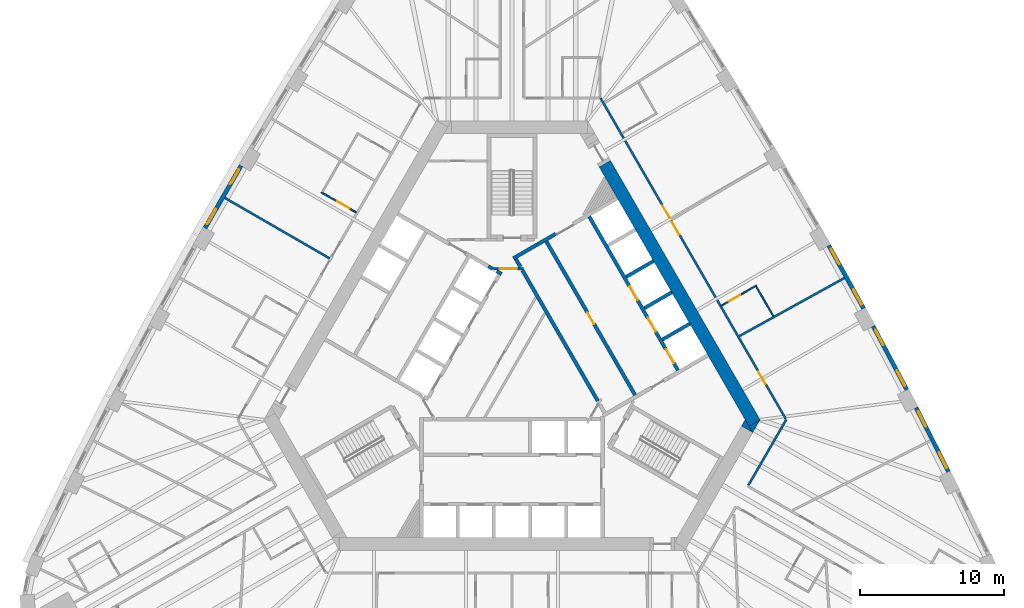
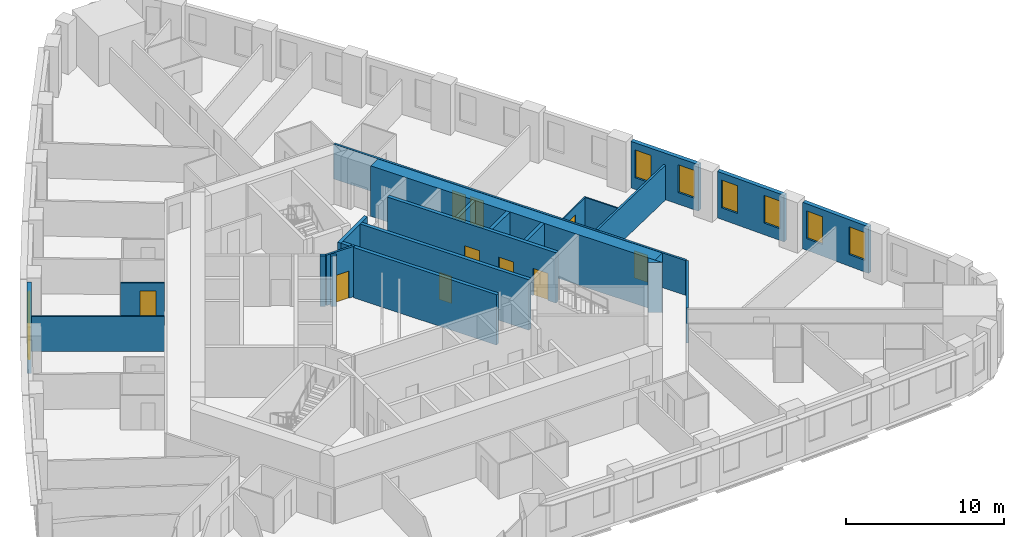
# One storey, part 8 of 12: 25 walls, 10 doors, 8 windows, 18 openings.
"""IFC4 building model written with IfcOpenShell, lengths in metres."""

from ifc_helpers import new_model, si_unit, direction, frame, frame_2d, origin, place, context, subcontext, project, spatial, polyline, rectangle, outline, extrude, material, layer, layer_set, type_object, element, fill, save


model = new_model("IFC4")

# Units and contexts
model_context = context("Model", 3, precision=1e-05, world=origin(), true_north=direction((0.0, 1.0)))
body_context = subcontext(model_context, "Body", "Model", "MODEL_VIEW")
ifc_project = project(units=[si_unit("LENGTHUNIT", "METRE"), si_unit("AREAUNIT", "SQUARE_METRE"), si_unit("VOLUMEUNIT", "CUBIC_METRE"), si_unit("PLANEANGLEUNIT", "RADIAN"), si_unit("MASSUNIT", "GRAM", prefix="KILO")], contexts=[model_context])

# Site, building, storey
site_placement = place(None, origin())
site = spatial("IfcSite", under=ifc_project, at=site_placement, CompositionType="ELEMENT")
building_placement = place(site_placement, origin())
building = spatial("IfcBuilding", under=site, at=building_placement, Name="Mestral Congress Tower", CompositionType="ELEMENT")
storey_placement = place(building_placement, frame((0.0, 0.0, 74.39990234375)))
storey = spatial("IfcBuildingStorey", under=building, at=storey_placement, Name="L17", CompositionType="ELEMENT", Elevation=74.39990234375)

# Walls
ifc_material_1 = material(Name="Concrete C60/75", Category="concrete")
ifc_layer_1 = layer(ifc_material_1, 0.89990234375)
ifc_layer_set_1 = layer_set([ifc_layer_1], Name="Concrete C60/75")
wall_type_1 = type_object("IfcWallType", Name="Core wall RC 900", PredefinedType="SOLIDWALL", material=ifc_layer_set_1)
wall_1_placement = place(storey_placement, frame((6.4609375, 13.9091796875, 0.0), z_axis=(0.0, 0.0, 1.0), x_axis=(0.500005804227, -0.866022052686, 0.0)))
element("IfcWall", 1, at=wall_1_placement, inside=storey, type_object=wall_type_1, Name="L17 core wall", PredefinedType="SOLIDWALL", context=body_context, shape_type="SweptSolid", body=[
    extrude(rectangle(XDim=20.833740234375, YDim=0.89990234375, at=frame_2d((10.4169921875, 0.0))), origin(), (0.0, 0.0, 1.0), 3.900146484375),
])
placement = place(storey_placement, origin())
element("IfcWall", 2, at=placement, inside=storey, type_object=wall_type_1, Name="L17 core wall", PredefinedType="SOLIDWALL", context=body_context, shape_type="SweptSolid", body=[
    extrude(outline(polyline([(16.7431640625, -4.800048828125), (16.4892578125, -4.360107421875), (17.251220703125, -3.920166015625), (16.7431640625, -4.800048828125)])), origin(), (0.0, 0.0, 1.0), 3.900146484375),
])
element("IfcWall", 3, at=placement, inside=storey, type_object=wall_type_1, Name="L17 core wall", PredefinedType="SOLIDWALL", context=body_context, shape_type="SweptSolid", body=[
    extrude(outline(polyline([(16.223388671875, -3.900146484375), (16.731689453125, -4.780029296875), (15.969482421875, -4.340087890625), (16.223388671875, -3.900146484375)])), origin(), (0.0, 0.0, 1.0), 3.900146484375),
])

# Wall, openings, windows
ifc_material_2 = material(Name="Precast concrete C40/50 with limestone facing", Category="masonry")
ifc_layer_2 = layer(ifc_material_2, 0.2900390625)
ifc_layer_set_2 = layer_set([ifc_layer_2], Name="Precast concrete C40/50 with limestone facing")
wall_type_2 = type_object("IfcWallType", Name="Facade stone wall 290", PredefinedType="SOLIDWALL", material=ifc_layer_set_2)
wall_4_placement = place(storey_placement, frame((30.376953125, -7.5205078125, 0.0), z_axis=(0.0, 0.0, 1.0), x_axis=(-0.451233929645, 0.892405704115, 0.0)))
wall_4 = element("IfcWall", 4, at=wall_4_placement, inside=storey, type_object=wall_type_2, Name="Facade wall F1-01", PredefinedType="SOLIDWALL", context=body_context, shape_type="SweptSolid", body=[
    extrude(rectangle(XDim=4.998291015625, YDim=0.2900390625, at=frame_2d((2.4990234375, 0.0))), origin(), (0.0, 0.0, 1.0), 3.60009765625),
])
opening_1_placement = place(wall_4_placement, frame((0.297119140625, 0.0, 0.89990234375)))
opening_1 = element("IfcOpeningElement", 5, at=opening_1_placement, cuts=wall_4, Name="Opening W1", PredefinedType="OPENING", context=body_context, shape_type="SweptSolid", body=[
    extrude(rectangle(XDim=1.199951171875, YDim=2.14990234375, at=frame_2d((0.60009765625, 1.074951171875))), frame((0.0, 0.155029296875, 0.0), z_axis=(0.0, -1.0, 0.0), x_axis=(1.0, 0.0, 0.0)), (0.0, 0.0, 1.0), 0.31005859375),
])
opening_2_placement = place(wall_4_placement, frame((3.501220703125, 0.0, 0.89990234375)))
opening_2 = element("IfcOpeningElement", 6, at=opening_2_placement, cuts=wall_4, Name="Opening W1", PredefinedType="OPENING", context=body_context, shape_type="SweptSolid", body=[
    extrude(rectangle(XDim=1.199951171875, YDim=2.14990234375, at=frame_2d((0.60009765625, 1.074951171875))), frame((0.0, 0.155029296875, 0.0), z_axis=(0.0, -1.0, 0.0), x_axis=(1.0, 0.0, 0.0)), (0.0, 0.0, 1.0), 0.31005859375),
])
ifc_material_3 = material(Name="Clear low-emissivity double glazing", Category="glass")
window_type = type_object("IfcWindowType", Name="Facade punched window 1200 x 2150 sill 900", PartitioningType="DOUBLE_PANEL_VERTICAL", PredefinedType="WINDOW", material=ifc_material_3)
window_1_placement = place(opening_1_placement, origin())
window_1 = element("IfcWindow", 7, at=window_1_placement, inside=storey, type_object=window_type, Name="Window F1-01a", OverallHeight=2.14990234375, OverallWidth=1.199951171875, PartitioningType="DOUBLE_PANEL_VERTICAL", PredefinedType="WINDOW", context=body_context, shape_type="SweptSolid", body=[
    extrude(rectangle(XDim=1.199951171875, YDim=2.14990234375, at=frame_2d((0.60009765625, 1.074951171875))), frame((0.0, 0.01513671875, 0.0), z_axis=(0.0, -1.0, 0.0), x_axis=(1.0, 0.0, 0.0)), (0.0, 0.0, 1.0), 0.06005859375),
])
fill(opening_1, window_1)
window_2_placement = place(opening_2_placement, origin())
window_2 = element("IfcWindow", 8, at=window_2_placement, inside=storey, type_object=window_type, Name="Window F1-01b", OverallHeight=2.14990234375, OverallWidth=1.199951171875, PartitioningType="DOUBLE_PANEL_VERTICAL", PredefinedType="WINDOW", context=body_context, shape_type="SweptSolid", body=[
    extrude(rectangle(XDim=1.199951171875, YDim=2.14990234375, at=frame_2d((0.60009765625, 1.074951171875))), frame((0.0, 0.01513671875, 0.0), z_axis=(0.0, -1.0, 0.0), x_axis=(1.0, 0.0, 0.0)), (0.0, 0.0, 1.0), 0.06005859375),
])
fill(opening_2, window_2)

wall_5_placement = place(storey_placement, frame((27.47509765625, -1.810302734375, 0.0), z_axis=(0.0, 0.0, 1.0), x_axis=(-0.467629620899, 0.883924509026, 0.0)))
wall_5 = element("IfcWall", 9, at=wall_5_placement, inside=storey, type_object=wall_type_2, Name="Facade wall F1-02", PredefinedType="SOLIDWALL", context=body_context, shape_type="SweptSolid", body=[
    extrude(rectangle(XDim=4.998291015625, YDim=0.2900390625, at=frame_2d((2.4990234375, 0.0))), origin(), (0.0, 0.0, 1.0), 3.60009765625),
])
opening_3_placement = place(wall_5_placement, frame((0.297119140625, 0.0, 0.89990234375)))
opening_3 = element("IfcOpeningElement", 10, at=opening_3_placement, cuts=wall_5, Name="Opening W1", PredefinedType="OPENING", context=body_context, shape_type="SweptSolid", body=[
    extrude(rectangle(XDim=1.199951171875, YDim=2.14990234375, at=frame_2d((0.60009765625, 1.074951171875))), frame((0.0, 0.155029296875, 0.0), z_axis=(0.0, -1.0, 0.0), x_axis=(1.0, 0.0, 0.0)), (0.0, 0.0, 1.0), 0.31005859375),
])
opening_4_placement = place(wall_5_placement, frame((3.501220703125, 0.0, 0.89990234375)))
opening_4 = element("IfcOpeningElement", 11, at=opening_4_placement, cuts=wall_5, Name="Opening W1", PredefinedType="OPENING", context=body_context, shape_type="SweptSolid", body=[
    extrude(rectangle(XDim=1.199951171875, YDim=2.14990234375, at=frame_2d((0.60009765625, 1.074951171875))), frame((0.0, 0.155029296875, 0.0), z_axis=(0.0, -1.0, 0.0), x_axis=(1.0, 0.0, 0.0)), (0.0, 0.0, 1.0), 0.31005859375),
])
window_3_placement = place(opening_3_placement, origin())
window_3 = element("IfcWindow", 12, at=window_3_placement, inside=storey, type_object=window_type, Name="Window F1-02a", OverallHeight=2.14990234375, OverallWidth=1.199951171875, PartitioningType="DOUBLE_PANEL_VERTICAL", PredefinedType="WINDOW", context=body_context, shape_type="SweptSolid", body=[
    extrude(rectangle(XDim=1.199951171875, YDim=2.14990234375, at=frame_2d((0.60009765625, 1.074951171875))), frame((0.0, 0.01513671875, 0.0), z_axis=(0.0, -1.0, 0.0), x_axis=(1.0, 0.0, 0.0)), (0.0, 0.0, 1.0), 0.06005859375),
])
fill(opening_3, window_3)
window_4_placement = place(opening_4_placement, origin())
window_4 = element("IfcWindow", 13, at=window_4_placement, inside=storey, type_object=window_type, Name="Window F1-02b", OverallHeight=2.14990234375, OverallWidth=1.199951171875, PartitioningType="DOUBLE_PANEL_VERTICAL", PredefinedType="WINDOW", context=body_context, shape_type="SweptSolid", body=[
    extrude(rectangle(XDim=1.199951171875, YDim=2.14990234375, at=frame_2d((0.60009765625, 1.074951171875))), frame((0.0, 0.01513671875, 0.0), z_axis=(0.0, -1.0, 0.0), x_axis=(1.0, 0.0, 0.0)), (0.0, 0.0, 1.0), 0.06005859375),
])
fill(opening_4, window_4)

wall_6_placement = place(storey_placement, frame((24.46826171875, 3.845703125, 0.0), z_axis=(0.0, 0.0, 1.0), x_axis=(-0.483912572871, 0.875116347589, 0.0)))
wall_6 = element("IfcWall", 14, at=wall_6_placement, inside=storey, type_object=wall_type_2, Name="Facade wall F1-03", PredefinedType="SOLIDWALL", context=body_context, shape_type="SweptSolid", body=[
    extrude(rectangle(XDim=4.998291015625, YDim=0.2900390625, at=frame_2d((2.4990234375, 0.0))), origin(), (0.0, 0.0, 1.0), 3.60009765625),
])
opening_5_placement = place(wall_6_placement, frame((0.297119140625, 0.0, 0.89990234375)))
opening_5 = element("IfcOpeningElement", 15, at=opening_5_placement, cuts=wall_6, Name="Opening W1", PredefinedType="OPENING", context=body_context, shape_type="SweptSolid", body=[
    extrude(rectangle(XDim=1.199951171875, YDim=2.14990234375, at=frame_2d((0.60009765625, 1.074951171875))), frame((0.0, 0.155029296875, 0.0), z_axis=(0.0, -1.0, 0.0), x_axis=(1.0, 0.0, 0.0)), (0.0, 0.0, 1.0), 0.31005859375),
])
opening_6_placement = place(wall_6_placement, frame((3.501220703125, 0.0, 0.89990234375)))
opening_6 = element("IfcOpeningElement", 16, at=opening_6_placement, cuts=wall_6, Name="Opening W1", PredefinedType="OPENING", context=body_context, shape_type="SweptSolid", body=[
    extrude(rectangle(XDim=1.199951171875, YDim=2.14990234375, at=frame_2d((0.60009765625, 1.074951171875))), frame((0.0, 0.155029296875, 0.0), z_axis=(0.0, -1.0, 0.0), x_axis=(1.0, 0.0, 0.0)), (0.0, 0.0, 1.0), 0.31005859375),
])
window_5_placement = place(opening_5_placement, origin())
window_5 = element("IfcWindow", 17, at=window_5_placement, inside=storey, type_object=window_type, Name="Window F1-03a", OverallHeight=2.14990234375, OverallWidth=1.199951171875, PartitioningType="DOUBLE_PANEL_VERTICAL", PredefinedType="WINDOW", context=body_context, shape_type="SweptSolid", body=[
    extrude(rectangle(XDim=1.199951171875, YDim=2.14990234375, at=frame_2d((0.60009765625, 1.074951171875))), frame((0.0, 0.01513671875, 0.0), z_axis=(0.0, -1.0, 0.0), x_axis=(1.0, 0.0, 0.0)), (0.0, 0.0, 1.0), 0.06005859375),
])
fill(opening_5, window_5)
window_6_placement = place(opening_6_placement, origin())
window_6 = element("IfcWindow", 18, at=window_6_placement, inside=storey, type_object=window_type, Name="Window F1-03b", OverallHeight=2.14990234375, OverallWidth=1.199951171875, PartitioningType="DOUBLE_PANEL_VERTICAL", PredefinedType="WINDOW", context=body_context, shape_type="SweptSolid", body=[
    extrude(rectangle(XDim=1.199951171875, YDim=2.14990234375, at=frame_2d((0.60009765625, 1.074951171875))), frame((0.0, 0.01513671875, 0.0), z_axis=(0.0, -1.0, 0.0), x_axis=(1.0, 0.0, 0.0)), (0.0, 0.0, 1.0), 0.06005859375),
])
fill(opening_6, window_6)

wall_7_placement = place(storey_placement, frame((-18.85791015625, 13.7734375, 0.0), z_axis=(0.0, 0.0, 1.0), x_axis=(-0.50002123722, -0.866013142123, 0.0)))
wall_7 = element("IfcWall", 19, at=wall_7_placement, inside=storey, type_object=wall_type_2, Name="Facade wall F2-04", PredefinedType="SOLIDWALL", context=body_context, shape_type="SweptSolid", body=[
    extrude(rectangle(XDim=4.998291015625, YDim=0.2900390625, at=frame_2d((2.4990234375, 0.0))), origin(), (0.0, 0.0, 1.0), 3.60009765625),
])
opening_7_placement = place(wall_7_placement, frame((0.297119140625, 0.0, 0.89990234375)))
opening_7 = element("IfcOpeningElement", 20, at=opening_7_placement, cuts=wall_7, Name="Opening W1", PredefinedType="OPENING", context=body_context, shape_type="SweptSolid", body=[
    extrude(rectangle(XDim=1.199951171875, YDim=2.14990234375, at=frame_2d((0.60009765625, 1.074951171875))), frame((0.0, 0.155029296875, 0.0), z_axis=(0.0, -1.0, 0.0), x_axis=(1.0, 0.0, 0.0)), (0.0, 0.0, 1.0), 0.31005859375),
])
opening_8_placement = place(wall_7_placement, frame((3.501220703125, 0.0, 0.89990234375)))
opening_8 = element("IfcOpeningElement", 21, at=opening_8_placement, cuts=wall_7, Name="Opening W1", PredefinedType="OPENING", context=body_context, shape_type="SweptSolid", body=[
    extrude(rectangle(XDim=1.199951171875, YDim=2.14990234375, at=frame_2d((0.60009765625, 1.074951171875))), frame((0.0, 0.155029296875, 0.0), z_axis=(0.0, -1.0, 0.0), x_axis=(1.0, 0.0, 0.0)), (0.0, 0.0, 1.0), 0.31005859375),
])
window_7_placement = place(opening_7_placement, origin())
window_7 = element("IfcWindow", 22, at=window_7_placement, inside=storey, type_object=window_type, Name="Window F2-04a", OverallHeight=2.14990234375, OverallWidth=1.199951171875, PartitioningType="DOUBLE_PANEL_VERTICAL", PredefinedType="WINDOW", context=body_context, shape_type="SweptSolid", body=[
    extrude(rectangle(XDim=1.199951171875, YDim=2.14990234375, at=frame_2d((0.60009765625, 1.074951171875))), frame((0.0, 0.01513671875, 0.0), z_axis=(0.0, -1.0, 0.0), x_axis=(1.0, 0.0, 0.0)), (0.0, 0.0, 1.0), 0.06005859375),
])
fill(opening_7, window_7)
window_8_placement = place(opening_8_placement, origin())
window_8 = element("IfcWindow", 23, at=window_8_placement, inside=storey, type_object=window_type, Name="Window F2-04b", OverallHeight=2.14990234375, OverallWidth=1.199951171875, PartitioningType="DOUBLE_PANEL_VERTICAL", PredefinedType="WINDOW", context=body_context, shape_type="SweptSolid", body=[
    extrude(rectangle(XDim=1.199951171875, YDim=2.14990234375, at=frame_2d((0.60009765625, 1.074951171875))), frame((0.0, 0.01513671875, 0.0), z_axis=(0.0, -1.0, 0.0), x_axis=(1.0, 0.0, 0.0)), (0.0, 0.0, 1.0), 0.06005859375),
])
fill(opening_8, window_8)

# Wall, opening, door
ifc_material_4 = material(Name="Gypsum board partition on metal studs with mineral wool", Category="composite")
ifc_layer_3 = layer(ifc_material_4, 0.10009765625)
ifc_layer_set_3 = layer_set([ifc_layer_3], Name="Gypsum board partition on metal studs with mineral wool")
wall_type_3 = type_object("IfcWallType", Name="Hotel partition wall 100", PredefinedType="PARTITIONING", material=ifc_layer_set_3)
wall_8_placement = place(storey_placement, frame((17.00927734375, 5.439208984375, 0.0), z_axis=(0.0, 0.0, 1.0), x_axis=(-0.865996816683, -0.500049511043, 0.0)))
wall_8 = element("IfcWall", 24, at=wall_8_placement, inside=storey, type_object=wall_type_3, Name="L17-h-pod10a", PredefinedType="PARTITIONING", context=body_context, shape_type="SweptSolid", body=[
    extrude(rectangle(XDim=2.800048828125, YDim=0.10009765625, at=frame_2d((1.39990234375, 0.0))), origin(), (0.0, 0.0, 1.0), 2.7001953125),
])
opening_9_placement = place(wall_8_placement, frame((1.300048828125, 0.0, 0.0)))
opening_9 = element("IfcOpeningElement", 25, at=opening_9_placement, cuts=wall_8, Name="Opening H05-019", PredefinedType="OPENING", context=body_context, shape_type="SweptSolid", body=[
    extrude(rectangle(XDim=0.89990234375, YDim=2.10009765625, at=frame_2d((0.449951171875, 1.050048828125))), frame((0.0, 0.06005859375, 0.0), z_axis=(0.0, -1.0, 0.0), x_axis=(1.0, 0.0, 0.0)), (0.0, 0.0, 1.0), 0.1201171875),
])
ifc_material_5 = material(Name="Timber veneer door leaf in timber frame", Category="wood")
door_type_1 = type_object("IfcDoorType", Name="Bathroom door 900", OperationType="SINGLE_SWING_LEFT", PredefinedType="DOOR", material=ifc_material_5)
door_1_placement = place(opening_9_placement, origin())
door_1 = element("IfcDoor", 26, at=door_1_placement, inside=storey, type_object=door_type_1, Name="L17-h-d019", OperationType="SINGLE_SWING_LEFT", OverallHeight=2.10009765625, OverallWidth=0.89990234375, PredefinedType="DOOR", context=body_context, shape_type="SweptSolid", body=[
    extrude(rectangle(XDim=0.89990234375, YDim=2.10009765625, at=frame_2d((0.449951171875, 1.050048828125))), frame((0.0, 0.02490234375, 0.0), z_axis=(0.0, -1.0, 0.0), x_axis=(1.0, 0.0, 0.0)), (0.0, 0.0, 1.0), 0.050048828125),
])
fill(opening_9, door_1)

# Wall
wall_9_placement = place(storey_placement, frame((16.990966796875, 5.370849609375, 0.0), z_axis=(0.0, 0.0, 1.0), x_axis=(0.499939447199, -0.866060361138, 0.0)))
element("IfcWall", 27, at=wall_9_placement, inside=storey, type_object=wall_type_3, Name="L17-h-pod10b", PredefinedType="PARTITIONING", context=body_context, shape_type="SweptSolid", body=[
    extrude(rectangle(XDim=2.369873046875, YDim=0.10009765625, at=frame_2d((1.18505859375, 0.0))), origin(), (0.0, 0.0, 1.0), 2.7001953125),
])

# Wall, opening, door
wall_10_placement = place(storey_placement, frame((-13.26513671875, 11.924072265625, 0.0), z_axis=(0.0, 0.0, 1.0), x_axis=(0.866034573852, -0.49998411664, 0.0)))
wall_10 = element("IfcWall", 28, at=wall_10_placement, inside=storey, type_object=wall_type_3, Name="L17-h-pod18a", PredefinedType="PARTITIONING", context=body_context, shape_type="SweptSolid", body=[
    extrude(rectangle(XDim=2.7998046875, YDim=0.10009765625, at=frame_2d((1.39990234375, 0.0))), origin(), (0.0, 0.0, 1.0), 2.7001953125),
])
opening_10_placement = place(wall_10_placement, frame((1.25, 0.0, 0.0)))
opening_10 = element("IfcOpeningElement", 29, at=opening_10_placement, cuts=wall_10, Name="Opening H05-033", PredefinedType="OPENING", context=body_context, shape_type="SweptSolid", body=[
    extrude(rectangle(XDim=1.0, YDim=2.10009765625, at=frame_2d((0.5, 1.050048828125))), frame((0.0, 0.06005859375, 0.0), z_axis=(0.0, -1.0, 0.0), x_axis=(1.0, 0.0, 0.0)), (0.0, 0.0, 1.0), 0.1201171875),
])
door_type_2 = type_object("IfcDoorType", Name="Accessible bathroom door 1000", OperationType="SINGLE_SWING_LEFT", PredefinedType="DOOR", material=ifc_material_5)
door_2_placement = place(opening_10_placement, origin())
door_2 = element("IfcDoor", 30, at=door_2_placement, inside=storey, type_object=door_type_2, Name="L17-h-d033", OperationType="SINGLE_SWING_RIGHT", OverallHeight=2.10009765625, OverallWidth=1.0, PredefinedType="DOOR", context=body_context, shape_type="SweptSolid", body=[
    extrude(rectangle(XDim=1.0, YDim=2.10009765625, at=frame_2d((0.5, 1.050048828125))), frame((0.0, 0.02490234375, 0.0), z_axis=(0.0, -1.0, 0.0), x_axis=(1.0, 0.0, 0.0)), (0.0, 0.0, 1.0), 0.050048828125),
])
fill(opening_10, door_2)

# Wall
ifc_layer_4 = layer(ifc_material_4, 0.14990234375)
ifc_layer_set_4 = layer_set([ifc_layer_4], Name="Gypsum board partition on metal studs with mineral wool")
wall_type_4 = type_object("IfcWallType", Name="Hotel partition wall 150", PredefinedType="PARTITIONING", material=ifc_layer_set_4)
wall_11_placement = place(storey_placement, frame((19.081298828125, -3.89990234375, 0.0), z_axis=(0.0, 0.0, 1.0), x_axis=(-0.499974327079, -0.866040225545, 0.0)))
element("IfcWall", 31, at=wall_11_placement, inside=storey, type_object=wall_type_4, Name="L17-h-cw02", PredefinedType="PARTITIONING", context=body_context, shape_type="SweptSolid", body=[
    extrude(rectangle(XDim=5.258056640625, YDim=0.14990234375, at=frame_2d((2.62890625, 0.0))), origin(), (0.0, 0.0, 1.0), 2.7001953125),
])

# Wall, openings, doors
wall_12_placement = place(storey_placement, frame((6.1630859375, 18.47509765625, 0.0), z_axis=(0.0, 0.0, 1.0), x_axis=(0.500001317485, -0.866024643133, 0.0)))
wall_12 = element("IfcWall", 32, at=wall_12_placement, inside=storey, type_object=wall_type_4, Name="L17-h-cw03", PredefinedType="PARTITIONING", context=body_context, shape_type="SweptSolid", body=[
    extrude(rectangle(XDim=25.7666015625, YDim=0.14990234375, at=frame_2d((12.88330078125, 0.0))), origin(), (0.0, 0.0, 1.0), 2.7001953125),
])
opening_11_placement = place(wall_12_placement, frame((21.952880859375, 0.0, 0.0)))
opening_11 = element("IfcOpeningElement", 33, at=opening_11_placement, cuts=wall_12, Name="Opening H05-017", PredefinedType="OPENING", context=body_context, shape_type="SweptSolid", body=[
    extrude(rectangle(XDim=1.0, YDim=2.10009765625, at=frame_2d((0.5, 1.050048828125))), frame((0.0, 0.0849609375, 0.0), z_axis=(0.0, -1.0, 0.0), x_axis=(1.0, 0.0, 0.0)), (0.0, 0.0, 1.0), 0.169921875),
])
opening_12_placement = place(wall_12_placement, frame((9.94775390625, 0.0, 0.0)))
opening_12 = element("IfcOpeningElement", 34, at=opening_12_placement, cuts=wall_12, Name="Opening H05-018", PredefinedType="OPENING", context=body_context, shape_type="SweptSolid", body=[
    extrude(rectangle(XDim=1.0, YDim=2.10009765625, at=frame_2d((0.5, 1.050048828125))), frame((0.0, 0.0849609375, 0.0), z_axis=(0.0, -1.0, 0.0), x_axis=(1.0, 0.0, 0.0)), (0.0, 0.0, 1.0), 0.169921875),
])
opening_13_placement = place(wall_12_placement, frame((8.640625, 0.0, 0.0)))
opening_13 = element("IfcOpeningElement", 35, at=opening_13_placement, cuts=wall_12, Name="Opening H05-020", PredefinedType="OPENING", context=body_context, shape_type="SweptSolid", body=[
    extrude(rectangle(XDim=1.0, YDim=2.10009765625, at=frame_2d((0.5, 1.050048828125))), frame((0.0, 0.0849609375, 0.0), z_axis=(0.0, -1.0, 0.0), x_axis=(1.0, 0.0, 0.0)), (0.0, 0.0, 1.0), 0.169921875),
])
ifc_material_6 = material(Name="Timber veneer door leaf in metal frame", Category="wood")
door_type_3 = type_object("IfcDoorType", Name="Guest room entrance door 1000", OperationType="SINGLE_SWING_LEFT", PredefinedType="DOOR", material=ifc_material_6)
door_3_placement = place(opening_11_placement, origin())
door_3 = element("IfcDoor", 36, at=door_3_placement, inside=storey, type_object=door_type_3, Name="L17-h-d017", OperationType="SINGLE_SWING_LEFT", OverallHeight=2.10009765625, OverallWidth=1.0, PredefinedType="DOOR", context=body_context, shape_type="SweptSolid", body=[
    extrude(rectangle(XDim=1.0, YDim=2.10009765625, at=frame_2d((0.5, 1.050048828125))), frame((0.0, 0.02490234375, 0.0), z_axis=(0.0, -1.0, 0.0), x_axis=(1.0, 0.0, 0.0)), (0.0, 0.0, 1.0), 0.050048828125),
])
fill(opening_11, door_3)
door_4_placement = place(opening_12_placement, origin())
door_4 = element("IfcDoor", 37, at=door_4_placement, inside=storey, type_object=door_type_3, Name="L17-h-d018", OperationType="SINGLE_SWING_LEFT", OverallHeight=2.10009765625, OverallWidth=1.0, PredefinedType="DOOR", context=body_context, shape_type="SweptSolid", body=[
    extrude(rectangle(XDim=1.0, YDim=2.10009765625, at=frame_2d((0.5, 1.050048828125))), frame((0.0, 0.02490234375, 0.0), z_axis=(0.0, -1.0, 0.0), x_axis=(1.0, 0.0, 0.0)), (0.0, 0.0, 1.0), 0.050048828125),
])
fill(opening_12, door_4)
door_5_placement = place(opening_13_placement, origin())
door_5 = element("IfcDoor", 38, at=door_5_placement, inside=storey, type_object=door_type_3, Name="L17-h-d020", OperationType="SINGLE_SWING_RIGHT", OverallHeight=2.10009765625, OverallWidth=1.0, PredefinedType="DOOR", context=body_context, shape_type="SweptSolid", body=[
    extrude(rectangle(XDim=1.0, YDim=2.10009765625, at=frame_2d((0.5, 1.050048828125))), frame((0.0, 0.02490234375, 0.0), z_axis=(0.0, -1.0, 0.0), x_axis=(1.0, 0.0, 0.0)), (0.0, 0.0, 1.0), 0.050048828125),
])
fill(opening_13, door_5)

# Walls
wall_13_placement = place(storey_placement, frame((-19.98193359375, 11.53662109375, 0.0), z_axis=(0.0, 0.0, 1.0), x_axis=(0.866020994654, -0.500007636761, 0.0)))
element("IfcWall", 39, at=wall_13_placement, inside=storey, type_object=wall_type_4, Name="L17-h-pw07", PredefinedType="PARTITIONING", context=body_context, shape_type="SweptSolid", body=[
    extrude(rectangle(XDim=8.423095703125, YDim=0.14990234375, at=frame_2d((4.21142578125, 0.0))), origin(), (0.0, 0.0, 1.0), 2.7001953125),
])
wall_14_placement = place(storey_placement, frame((23.1318359375, 5.96240234375, 0.0), z_axis=(0.0, 0.0, 1.0), x_axis=(-0.875121716713, -0.483902863121, 0.0)))
element("IfcWall", 40, at=wall_14_placement, inside=storey, type_object=wall_type_4, Name="L17-h-pw20", PredefinedType="PARTITIONING", context=body_context, shape_type="SweptSolid", body=[
    extrude(rectangle(XDim=8.35546875, YDim=0.14990234375, at=frame_2d((4.177734375, 0.0))), origin(), (0.0, 0.0, 1.0), 2.7001953125),
])
ifc_layer_5 = layer(ifc_material_1, 0.25)
ifc_layer_set_5 = layer_set([ifc_layer_5], Name="Concrete C60/75")
wall_type_5 = type_object("IfcWallType", Name="Shaft wall RC 250", PredefinedType="SOLIDWALL", material=ifc_layer_set_5)
for number, where, z_axis, x_axis, name in (
    (41, (10.463623046875, 1.676513671875, 0.0), (0.0, 0.0, 1.0), (0.86605622881, 0.499946605688, 0.0), "L17 core wall"),
    (42, (9.20361328125, 3.85888671875, 0.0), (0.0, 0.0, 1.0), (0.86605622881, 0.499946605688, 0.0), "L17 core wall"),
    (43, (7.943603515625, 6.041259765625, 0.0), (0.0, 0.0, 1.0), (0.86605622881, 0.499946605688, 0.0), "L17 core wall"),
):
    element("IfcWall", number, at=place(storey_placement, frame(where, z_axis=z_axis, x_axis=x_axis)), inside=storey, type_object=wall_type_5, Name=name, PredefinedType="SOLIDWALL", context=body_context, shape_type="SweptSolid", body=[
        extrude(rectangle(XDim=2.199951171875, YDim=0.25, at=frame_2d((1.10009765625, 0.0))), origin(), (0.0, 0.0, 1.0), 3.900146484375),
    ])
wall_15_placement = place(storey_placement, frame((0.09765625, 7.330810546875, 0.0), z_axis=(0.0, 0.0, 1.0), x_axis=(0.865988154826, 0.50006451154, 0.0)))
element("IfcWall", 44, at=wall_15_placement, inside=storey, type_object=wall_type_5, Name="L17 core wall", PredefinedType="SOLIDWALL", context=body_context, shape_type="SweptSolid", body=[
    extrude(rectangle(XDim=3.39794921875, YDim=0.25, at=frame_2d((1.698974609375, 0.0))), origin(), (0.0, 0.0, 1.0), 3.900146484375),
])
wall_16_placement = place(storey_placement, frame((0.268310546875, 7.28515625, 0.0), z_axis=(0.0, 0.0, 1.0), x_axis=(0.500098681536, -0.865968422476, 0.0)))
element("IfcWall", 45, at=wall_16_placement, inside=storey, type_object=wall_type_5, Name="L17 core wall", PredefinedType="SOLIDWALL", context=body_context, shape_type="SweptSolid", body=[
    extrude(rectangle(XDim=0.636474609375, YDim=0.25, at=frame_2d((0.318359375, 0.0))), origin(), (0.0, 0.0, 1.0), 3.900146484375),
])
wall_17_placement = place(storey_placement, frame((5.970458984375, -2.591064453125, 0.0), z_axis=(0.0, 0.0, 1.0), x_axis=(-0.499994469932, 0.866028596547, 0.0)))
element("IfcWall", 46, at=wall_17_placement, inside=storey, type_object=wall_type_5, Name="L17 core wall", PredefinedType="SOLIDWALL", context=body_context, shape_type="SweptSolid", body=[
    extrude(rectangle(XDim=10.48828125, YDim=0.25, at=frame_2d((5.244140625, 0.0))), origin(), (0.0, 0.0, 1.0), 3.900146484375),
])
wall_18_placement = place(storey_placement, frame((-1.34228515625, 6.5947265625, 0.0), z_axis=(0.0, 0.0, 1.0), x_axis=(-0.866046247233, 0.49996389635, 0.0)))
element("IfcWall", 47, at=wall_18_placement, inside=storey, type_object=wall_type_5, Name="L17 core wall", PredefinedType="SOLIDWALL", context=body_context, shape_type="SweptSolid", body=[
    extrude(rectangle(XDim=0.35009765625, YDim=0.25, at=frame_2d((0.175048828125, 0.0))), origin(), (0.0, 0.0, 1.0), 3.900146484375),
])
wall_19_placement = place(storey_placement, frame((-0.7275390625, 6.23974609375, 0.0), z_axis=(0.0, 0.0, 1.0), x_axis=(-0.866088799389, 0.499890179513, 0.0)))
element("IfcWall", 48, at=wall_19_placement, inside=storey, type_object=wall_type_5, Name="L17 core wall", PredefinedType="SOLIDWALL", context=body_context, shape_type="SweptSolid", body=[
    extrude(rectangle(XDim=0.3779296875, YDim=0.25, at=frame_2d((0.18896484375, 0.0))), origin(), (0.0, 0.0, 1.0), 3.900146484375),
])

# Wall, openings, doors
wall_20_placement = place(storey_placement, frame((11.552978515625, -0.460205078125, 0.0), z_axis=(0.0, 0.0, 1.0), x_axis=(-0.500006514828, 0.866021642414, 0.0)))
wall_20 = element("IfcWall", 49, at=wall_20_placement, inside=storey, type_object=wall_type_5, Name="L17 door wall", PredefinedType="SOLIDWALL", context=body_context, shape_type="SweptSolid", body=[
    extrude(rectangle(XDim=12.349853515625, YDim=0.25, at=frame_2d((6.1748046875, 0.0))), origin(), (0.0, 0.0, 1.0), 3.900146484375),
])
opening_14_placement = place(wall_20_placement, frame((0.5849609375, 0.0, 0.0)))
opening_14 = element("IfcOpeningElement", 50, at=opening_14_placement, cuts=wall_20, Name="Opening LD-NEA1", PredefinedType="OPENING", context=body_context, shape_type="SweptSolid", body=[
    extrude(rectangle(XDim=1.10009765625, YDim=2.10009765625, at=frame_2d((0.550048828125, 1.050048828125))), frame((0.0, 0.135009765625, 0.0), z_axis=(0.0, -1.0, 0.0), x_axis=(1.0, 0.0, 0.0)), (0.0, 0.0, 1.0), 0.27001953125),
])
opening_15_placement = place(wall_20_placement, frame((3.10498046875, 0.0, 0.0)))
opening_15 = element("IfcOpeningElement", 51, at=opening_15_placement, cuts=wall_20, Name="Opening LD-NEA2", PredefinedType="OPENING", context=body_context, shape_type="SweptSolid", body=[
    extrude(rectangle(XDim=1.10009765625, YDim=2.10009765625, at=frame_2d((0.550048828125, 1.050048828125))), frame((0.0, 0.135009765625, 0.0), z_axis=(0.0, -1.0, 0.0), x_axis=(1.0, 0.0, 0.0)), (0.0, 0.0, 1.0), 0.27001953125),
])
opening_16_placement = place(wall_20_placement, frame((5.625, 0.0, 0.0)))
opening_16 = element("IfcOpeningElement", 52, at=opening_16_placement, cuts=wall_20, Name="Opening LD-NEA3", PredefinedType="OPENING", context=body_context, shape_type="SweptSolid", body=[
    extrude(rectangle(XDim=1.10009765625, YDim=2.10009765625, at=frame_2d((0.550048828125, 1.050048828125))), frame((0.0, 0.135009765625, 0.0), z_axis=(0.0, -1.0, 0.0), x_axis=(1.0, 0.0, 0.0)), (0.0, 0.0, 1.0), 0.27001953125),
])
ifc_material_7 = material(Name="Fire-rated steel door set", Category="steel")
door_type_4 = type_object("IfcDoorType", Name="Core door LD 1100x2100", OperationType="DOUBLE_DOOR_SLIDING", PredefinedType="DOOR", material=ifc_material_7)
door_6_placement = place(opening_14_placement, origin())
door_6 = element("IfcDoor", 53, at=door_6_placement, inside=storey, type_object=door_type_4, Name="Door LD-NEA1", OperationType="DOUBLE_DOOR_SLIDING", OverallHeight=2.10009765625, OverallWidth=1.10009765625, PredefinedType="DOOR", context=body_context, shape_type="SweptSolid", body=[
    extrude(rectangle(XDim=1.10009765625, YDim=2.10009765625, at=frame_2d((0.550048828125, 1.050048828125))), frame((0.0, 0.02490234375, 0.0), z_axis=(0.0, -1.0, 0.0), x_axis=(1.0, 0.0, 0.0)), (0.0, 0.0, 1.0), 0.050048828125),
])
fill(opening_14, door_6)
door_7_placement = place(opening_15_placement, origin())
door_7 = element("IfcDoor", 54, at=door_7_placement, inside=storey, type_object=door_type_4, Name="Door LD-NEA2", OperationType="DOUBLE_DOOR_SLIDING", OverallHeight=2.10009765625, OverallWidth=1.10009765625, PredefinedType="DOOR", context=body_context, shape_type="SweptSolid", body=[
    extrude(rectangle(XDim=1.10009765625, YDim=2.10009765625, at=frame_2d((0.550048828125, 1.050048828125))), frame((0.0, 0.02490234375, 0.0), z_axis=(0.0, -1.0, 0.0), x_axis=(1.0, 0.0, 0.0)), (0.0, 0.0, 1.0), 0.050048828125),
])
fill(opening_15, door_7)
door_8_placement = place(opening_16_placement, origin())
door_8 = element("IfcDoor", 55, at=door_8_placement, inside=storey, type_object=door_type_4, Name="Door LD-NEA3", OperationType="DOUBLE_DOOR_SLIDING", OverallHeight=2.10009765625, OverallWidth=1.10009765625, PredefinedType="DOOR", context=body_context, shape_type="SweptSolid", body=[
    extrude(rectangle(XDim=1.10009765625, YDim=2.10009765625, at=frame_2d((0.550048828125, 1.050048828125))), frame((0.0, 0.02490234375, 0.0), z_axis=(0.0, -1.0, 0.0), x_axis=(1.0, 0.0, 0.0)), (0.0, 0.0, 1.0), 0.050048828125),
])
fill(opening_16, door_8)

# Wall, opening, door
wall_21_placement = place(storey_placement, frame((8.565185546875, -2.185302734375, 0.0), z_axis=(0.0, 0.0, 1.0), x_axis=(-0.499997954832, 0.866026584559, 0.0)))
wall_21 = element("IfcWall", 56, at=wall_21_placement, inside=storey, type_object=wall_type_5, Name="L17 door wall", PredefinedType="SOLIDWALL", context=body_context, shape_type="SweptSolid", body=[
    extrude(rectangle(XDim=12.35009765625, YDim=0.25, at=frame_2d((6.175048828125, 0.0))), origin(), (0.0, 0.0, 1.0), 3.900146484375),
])
opening_17_placement = place(wall_21_placement, frame((5.72509765625, 0.0, 0.0)))
opening_17 = element("IfcOpeningElement", 57, at=opening_17_placement, cuts=wall_21, Name="Opening SR-NEB1", PredefinedType="OPENING", context=body_context, shape_type="SweptSolid", body=[
    extrude(rectangle(XDim=0.89990234375, YDim=2.10009765625, at=frame_2d((0.449951171875, 1.050048828125))), frame((0.0, 0.135009765625, 0.0), z_axis=(0.0, -1.0, 0.0), x_axis=(1.0, 0.0, 0.0)), (0.0, 0.0, 1.0), 0.27001953125),
])
door_type_5 = type_object("IfcDoorType", Name="Core door SR 900x2100", OperationType="SINGLE_SWING_LEFT", PredefinedType="DOOR", material=ifc_material_7)
door_9_placement = place(opening_17_placement, origin())
door_9 = element("IfcDoor", 58, at=door_9_placement, inside=storey, type_object=door_type_5, Name="Door SR-NEB1", OperationType="SINGLE_SWING_LEFT", OverallHeight=2.10009765625, OverallWidth=0.89990234375, PredefinedType="DOOR", context=body_context, shape_type="SweptSolid", body=[
    extrude(rectangle(XDim=0.89990234375, YDim=2.10009765625, at=frame_2d((0.449951171875, 1.050048828125))), frame((0.0, 0.02490234375, 0.0), z_axis=(0.0, -1.0, 0.0), x_axis=(1.0, 0.0, 0.0)), (0.0, 0.0, 1.0), 0.050048828125),
])
fill(opening_17, door_9)

ifc_layer_6 = layer(ifc_material_1, 0.14990234375)
ifc_layer_set_6 = layer_set([ifc_layer_6], Name="Concrete C60/75")
wall_type_6 = type_object("IfcWallType", Name="Shaft wall RC 250 door-wall 150", PredefinedType="SOLIDWALL", material=ifc_layer_set_6)
wall_22_placement = place(storey_placement, frame((-1.303466796875, 6.60009765625, 0.0), z_axis=(0.0, 0.0, 1.0), x_axis=(1.0, 0.0, 0.0)))
wall_22 = element("IfcWall", 59, at=wall_22_placement, inside=storey, type_object=wall_type_6, Name="L17 door wall", PredefinedType="PARTITIONING", context=body_context, shape_type="SweptSolid", body=[
    extrude(rectangle(XDim=2.099853515625, YDim=0.14990234375, at=frame_2d((1.0498046875, 0.0))), origin(), (0.0, 0.0, 1.0), 3.900146484375),
])
opening_18_placement = place(wall_22_placement, frame((0.449951171875, 0.0, 0.0)))
opening_18 = element("IfcOpeningElement", 60, at=opening_18_placement, cuts=wall_22, Name="Opening CD2-FF", PredefinedType="OPENING", context=body_context, shape_type="SweptSolid", body=[
    extrude(rectangle(XDim=1.199951171875, YDim=2.10009765625, at=frame_2d((0.60009765625, 1.050048828125))), frame((0.0, 0.0849609375, 0.0), z_axis=(0.0, -1.0, 0.0), x_axis=(1.0, 0.0, 0.0)), (0.0, 0.0, 1.0), 0.169921875),
])
door_type_6 = type_object("IfcDoorType", Name="Core door CD 1200x2100", OperationType="SINGLE_SWING_LEFT", PredefinedType="DOOR", material=ifc_material_7)
door_10_placement = place(opening_18_placement, origin())
door_10 = element("IfcDoor", 61, at=door_10_placement, inside=storey, type_object=door_type_6, Name="Door CD2-FF", OperationType="SINGLE_SWING_LEFT", OverallHeight=2.10009765625, OverallWidth=1.199951171875, PredefinedType="DOOR", context=body_context, shape_type="SweptSolid", body=[
    extrude(rectangle(XDim=1.199951171875, YDim=2.10009765625, at=frame_2d((0.60009765625, 1.050048828125))), frame((0.0, 0.02490234375, 0.0), z_axis=(0.0, -1.0, 0.0), x_axis=(1.0, 0.0, 0.0)), (0.0, 0.0, 1.0), 0.050048828125),
])
fill(opening_18, door_10)

save(model, "model.ifc")
